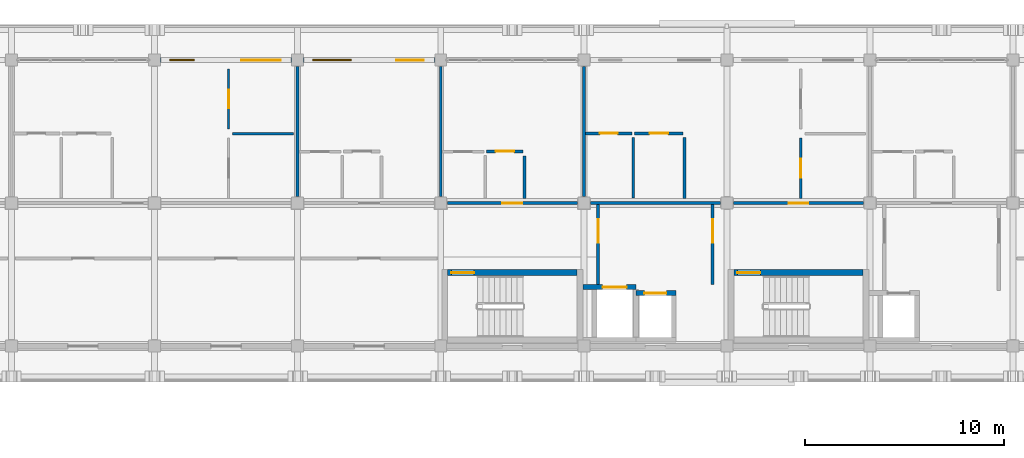
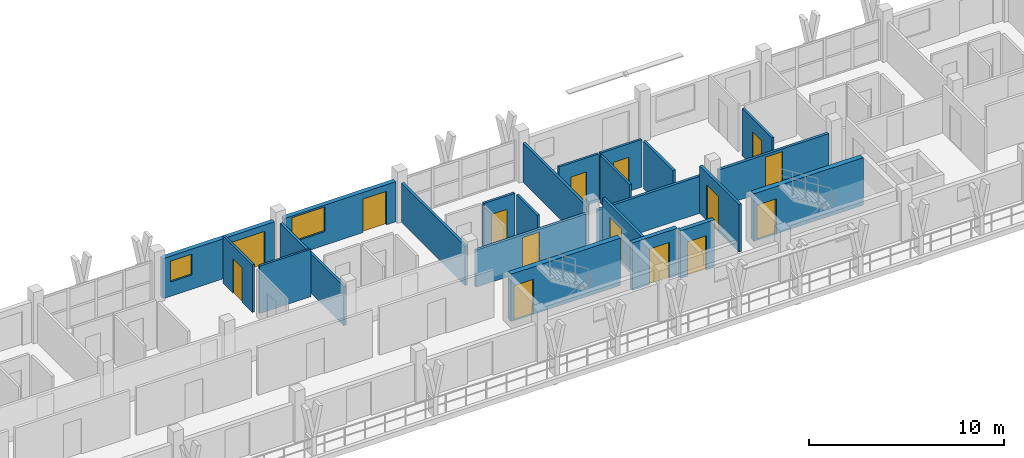
# One storey, part 40 of 73: 23 walls, 15 doors, 2 windows, 17 openings.
"""IFC4 building model written with IfcOpenShell, lengths in metres."""

from ifc_helpers import new_model, si_unit, direction, frame, frame_2d, origin, place, context, subcontext, project, spatial, rectangle, extrude, material, layer, layer_set, type_object, element, fill, save


model = new_model("IFC4")

# Units and contexts
model_context = context("Model", 3, precision=1e-05, world=origin(), true_north=direction((0.0, 1.0)))
body_context = subcontext(model_context, "Body", "Model", "MODEL_VIEW")
ifc_project = project(units=[si_unit("LENGTHUNIT", "METRE"), si_unit("AREAUNIT", "SQUARE_METRE"), si_unit("VOLUMEUNIT", "CUBIC_METRE"), si_unit("PLANEANGLEUNIT", "RADIAN"), si_unit("MASSUNIT", "GRAM", prefix="KILO")], contexts=[model_context])

# Site, building, storey
site_placement = place(None, origin())
site = spatial("IfcSite", under=ifc_project, at=site_placement, CompositionType="ELEMENT")
building_placement = place(site_placement, origin())
building = spatial("IfcBuilding", under=site, at=building_placement, Name="Suanplinth Sawtooth Commons", CompositionType="ELEMENT")
storey_placement = place(building_placement, frame((0.0, 0.0, 21.89990234375)))
storey = spatial("IfcBuildingStorey", under=building, at=storey_placement, Name="L06", CompositionType="ELEMENT", Elevation=21.89990234375)

# Wall, opening, door
ifc_material_1 = material(Name="Concrete C40/50", Category="concrete")
ifc_layer_1 = layer(ifc_material_1, 0.300048828125, Name="Standard RC stair and lift core wall 300mm")
ifc_layer_set_1 = layer_set([ifc_layer_1], Name="Concrete C40/50")
wall_type_1 = type_object("IfcWallType", Name="W-CR02", PredefinedType="SHEAR", material=ifc_layer_set_1)
wall_1_placement = place(storey_placement, frame((43.550048828125, 111.699951171875, 0.0), z_axis=(0.0, 0.0, 1.0), x_axis=(1.0, 0.0, 0.0)))
wall_1 = element("IfcWall", 1, at=wall_1_placement, inside=storey, type_object=wall_type_1, Name="W-L06-C-A1-STN", PredefinedType="SHEAR", context=body_context, shape_type="SweptSolid", body=[
    extrude(rectangle(XDim=6.5, YDim=0.300048828125, at=frame_2d((3.25, 0.0))), origin(), (0.0, 0.0, 1.0), 2.97998046875),
])
opening_1_placement = place(wall_1_placement, frame((0.179931640625, 0.0, 0.0)))
opening_1 = element("IfcOpeningElement", 2, at=opening_1_placement, cuts=wall_1, Name="Opening FD0036", PredefinedType="OPENING", context=body_context, shape_type="SweptSolid", body=[
    extrude(rectangle(XDim=1.14990234375, YDim=2.199951171875, at=frame_2d((0.574951171875, 1.10009765625))), frame((0.0, 0.1650390625, 0.0), z_axis=(0.0, -1.0, 0.0), x_axis=(1.0, 0.0, 0.0)), (0.0, 0.0, 1.0), 0.329833984375),
])
ifc_material_2 = material(Name="Teak hardwood fire-rated door assembly", Category="wood")
door_type_1 = type_object("IfcDoorType", Name="FD-01", OperationType="NOTDEFINED", PredefinedType="DOOR", material=ifc_material_2)
door_1_placement = place(opening_1_placement, frame((1.14990234375, 0.0, 0.0), z_axis=(0.0, 0.0, 1.0), x_axis=(-1.0, 0.0, 0.0)))
door_1 = element("IfcDoor", 3, at=door_1_placement, inside=storey, type_object=door_type_1, Name="Exit Stair Fire Door FD0036", OperationType="SINGLE_SWING_LEFT", OverallHeight=2.199951171875, OverallWidth=1.14990234375, PredefinedType="DOOR", context=body_context, shape_type="SweptSolid", body=[
    extrude(rectangle(XDim=1.14990234375, YDim=2.199951171875, at=frame_2d((0.574951171875, 1.10009765625))), frame((0.0, 0.02490234375, 0.0), z_axis=(0.0, -1.0, 0.0), x_axis=(1.0, 0.0, 0.0)), (0.0, 0.0, 1.0), 0.050048828125),
])
fill(opening_1, door_1)

wall_2_placement = place(storey_placement, frame((57.949951171875, 111.699951171875, 0.0), z_axis=(0.0, 0.0, 1.0), x_axis=(1.0, 0.0, 0.0)))
wall_2 = element("IfcWall", 4, at=wall_2_placement, inside=storey, type_object=wall_type_1, Name="W-L06-C-A2-STN", PredefinedType="SHEAR", context=body_context, shape_type="SweptSolid", body=[
    extrude(rectangle(XDim=6.5, YDim=0.300048828125, at=frame_2d((3.25, 0.0))), origin(), (0.0, 0.0, 1.0), 2.97998046875),
])
opening_2_placement = place(wall_2_placement, frame((0.179931640625, 0.0, 0.0)))
opening_2 = element("IfcOpeningElement", 5, at=opening_2_placement, cuts=wall_2, Name="Opening FD0114", PredefinedType="OPENING", context=body_context, shape_type="SweptSolid", body=[
    extrude(rectangle(XDim=1.14990234375, YDim=2.199951171875, at=frame_2d((0.574951171875, 1.10009765625))), frame((0.0, 0.1650390625, 0.0), z_axis=(0.0, -1.0, 0.0), x_axis=(1.0, 0.0, 0.0)), (0.0, 0.0, 1.0), 0.329833984375),
])
door_2_placement = place(opening_2_placement, frame((1.14990234375, 0.0, 0.0), z_axis=(0.0, 0.0, 1.0), x_axis=(-1.0, 0.0, 0.0)))
door_2 = element("IfcDoor", 6, at=door_2_placement, inside=storey, type_object=door_type_1, Name="Exit Stair Fire Door FD0114", OperationType="SINGLE_SWING_RIGHT", OverallHeight=2.199951171875, OverallWidth=1.14990234375, PredefinedType="DOOR", context=body_context, shape_type="SweptSolid", body=[
    extrude(rectangle(XDim=1.14990234375, YDim=2.199951171875, at=frame_2d((0.574951171875, 1.10009765625))), frame((0.0, 0.02490234375, 0.0), z_axis=(0.0, -1.0, 0.0), x_axis=(1.0, 0.0, 0.0)), (0.0, 0.0, 1.0), 0.050048828125),
])
fill(opening_2, door_2)

# Wall, openings, door, window
ifc_material_3 = material(Name="Precast concrete C40/50", Category="concrete")
ifc_layer_2 = layer(ifc_material_3, 0.260009765625, Name="Insulated precast courtyard facade wall 260mm")
ifc_layer_set_2 = layer_set([ifc_layer_2], Name="Precast concrete C40/50")
wall_type_2 = type_object("IfcWallType", Name="W-EX02", PredefinedType="ELEMENTEDWALL", material=ifc_layer_set_2)
wall_3_placement = place(storey_placement, frame((29.10009765625, 122.39990234375, 0.0), z_axis=(0.0, 0.0, 1.0), x_axis=(1.0, 0.0, 0.0)))
wall_3 = element("IfcWall", 7, at=wall_3_placement, inside=storey, type_object=wall_type_2, Name="Facade Wall W-L06-A-N-3", PredefinedType="ELEMENTEDWALL", context=body_context, shape_type="SweptSolid", body=[
    extrude(rectangle(XDim=6.599853515625, YDim=0.260009765625, at=frame_2d((3.2998046875, 0.0))), origin(), (0.0, 0.0, 1.0), 2.51513671875),
])
opening_3_placement = place(wall_3_placement, frame((4.050048828125, 0.0, 0.0)))
opening_3 = element("IfcOpeningElement", 8, at=opening_3_placement, cuts=wall_3, Name="Opening ED0482", PredefinedType="OPENING", context=body_context, shape_type="SweptSolid", body=[
    extrude(rectangle(XDim=2.0, YDim=2.1201171875, at=frame_2d((1.0, 1.06005859375))), frame((0.0, 0.14501953125, 0.0), z_axis=(0.0, -1.0, 0.0), x_axis=(1.0, 0.0, 0.0)), (0.0, 0.0, 1.0), 0.289794921875),
])
opening_4_placement = place(wall_3_placement, frame((0.449951171875, 0.0, 0.89990234375)))
opening_4 = element("IfcOpeningElement", 9, at=opening_4_placement, cuts=wall_3, Name="Opening W0569", PredefinedType="OPENING", context=body_context, shape_type="SweptSolid", body=[
    extrude(rectangle(XDim=1.25, YDim=1.300048828125, at=frame_2d((0.625, 0.64990234375))), frame((0.0, 0.14501953125, 0.0), z_axis=(0.0, -1.0, 0.0), x_axis=(1.0, 0.0, 0.0)), (0.0, 0.0, 1.0), 0.289794921875),
])
ifc_material_4 = material(Name="Anodized aluminium and low-E glass", Category="aluminium")
door_type_2 = type_object("IfcDoorType", Name="SD-06", OperationType="DOUBLE_DOOR_SLIDING", PredefinedType="DOOR", material=ifc_material_4)
door_3_placement = place(opening_3_placement, frame((2.0, 0.0, 0.0), z_axis=(0.0, 0.0, 1.0), x_axis=(-1.0, 0.0, 0.0)))
door_3 = element("IfcDoor", 10, at=door_3_placement, inside=storey, type_object=door_type_2, Name="Balcony Sliding Door L06-A-N-3", OperationType="DOUBLE_DOOR_SLIDING", OverallHeight=2.1201171875, OverallWidth=2.0, PredefinedType="DOOR", context=body_context, shape_type="SweptSolid", body=[
    extrude(rectangle(XDim=2.0, YDim=2.1201171875, at=frame_2d((1.0, 1.06005859375))), frame((0.0, 0.02490234375, 0.0), z_axis=(0.0, -1.0, 0.0), x_axis=(1.0, 0.0, 0.0)), (0.0, 0.0, 1.0), 0.050048828125),
])
fill(opening_3, door_3)
ifc_material_5 = material(Name="Thermally broken aluminium and low-E double glazing", Category="aluminium")
window_type_1 = type_object("IfcWindowType", Name="WN-17", PartitioningType="SINGLE_PANEL", PredefinedType="WINDOW", material=ifc_material_5)
window_1_placement = place(opening_4_placement, origin())
window_1 = element("IfcWindow", 11, at=window_1_placement, inside=storey, type_object=window_type_1, Name="Window L06-A-N-3", OverallHeight=1.300048828125, OverallWidth=1.25, PartitioningType="SINGLE_PANEL", PredefinedType="WINDOW", context=body_context, shape_type="SweptSolid", body=[
    extrude(rectangle(XDim=1.25, YDim=1.300048828125, at=frame_2d((0.625, 0.64990234375))), frame((0.0, 0.030029296875, 0.0), z_axis=(0.0, -1.0, 0.0), x_axis=(1.0, 0.0, 0.0)), (0.0, 0.0, 1.0), 0.06005859375),
])
fill(opening_4, window_1)

wall_4_placement = place(storey_placement, frame((36.300048828125, 122.39990234375, 0.0), z_axis=(0.0, 0.0, 1.0), x_axis=(1.0, 0.0, 0.0)))
wall_4 = element("IfcWall", 12, at=wall_4_placement, inside=storey, type_object=wall_type_2, Name="Facade Wall W-L06-A-N-4", PredefinedType="ELEMENTEDWALL", context=body_context, shape_type="SweptSolid", body=[
    extrude(rectangle(XDim=6.599853515625, YDim=0.260009765625, at=frame_2d((3.2998046875, 0.0))), origin(), (0.0, 0.0, 1.0), 2.51513671875),
])
opening_5_placement = place(wall_4_placement, frame((4.64990234375, 0.0, 0.0)))
opening_5 = element("IfcOpeningElement", 13, at=opening_5_placement, cuts=wall_4, Name="Opening ED0484", PredefinedType="OPENING", context=body_context, shape_type="SweptSolid", body=[
    extrude(rectangle(XDim=1.39990234375, YDim=2.10009765625, at=frame_2d((0.699951171875, 1.050048828125))), frame((0.0, 0.14501953125, 0.0), z_axis=(0.0, -1.0, 0.0), x_axis=(1.0, 0.0, 0.0)), (0.0, 0.0, 1.0), 0.289794921875),
])
opening_6_placement = place(wall_4_placement, frame((0.449951171875, 0.0, 0.85498046875)))
opening_6 = element("IfcOpeningElement", 14, at=opening_6_placement, cuts=wall_4, Name="Opening W0570", PredefinedType="OPENING", context=body_context, shape_type="SweptSolid", body=[
    extrude(rectangle(XDim=1.949951171875, YDim=1.550048828125, at=frame_2d((0.97509765625, 0.77490234375))), frame((0.0, 0.14501953125, 0.0), z_axis=(0.0, -1.0, 0.0), x_axis=(1.0, 0.0, 0.0)), (0.0, 0.0, 1.0), 0.289794921875),
])
door_type_3 = type_object("IfcDoorType", Name="SD-07", OperationType="SLIDING_TO_RIGHT", PredefinedType="DOOR", material=ifc_material_4)
door_4_placement = place(opening_5_placement, frame((1.39990234375, 0.0, 0.0), z_axis=(0.0, 0.0, 1.0), x_axis=(-1.0, 0.0, 0.0)))
door_4 = element("IfcDoor", 15, at=door_4_placement, inside=storey, type_object=door_type_3, Name="Balcony Sliding Door L06-A-N-4", OperationType="SLIDING_TO_RIGHT", OverallHeight=2.10009765625, OverallWidth=1.39990234375, PredefinedType="DOOR", context=body_context, shape_type="SweptSolid", body=[
    extrude(rectangle(XDim=1.39990234375, YDim=2.10009765625, at=frame_2d((0.699951171875, 1.050048828125))), frame((0.0, 0.02490234375, 0.0), z_axis=(0.0, -1.0, 0.0), x_axis=(1.0, 0.0, 0.0)), (0.0, 0.0, 1.0), 0.050048828125),
])
fill(opening_5, door_4)
window_type_2 = type_object("IfcWindowType", Name="WN-18", PartitioningType="DOUBLE_PANEL_VERTICAL", PredefinedType="WINDOW", material=ifc_material_5)
window_2_placement = place(opening_6_placement, origin())
window_2 = element("IfcWindow", 16, at=window_2_placement, inside=storey, type_object=window_type_2, Name="Window L06-A-N-4", OverallHeight=1.550048828125, OverallWidth=1.949951171875, PartitioningType="DOUBLE_PANEL_VERTICAL", PredefinedType="WINDOW", context=body_context, shape_type="SweptSolid", body=[
    extrude(rectangle(XDim=1.949951171875, YDim=1.550048828125, at=frame_2d((0.97509765625, 0.77490234375))), frame((0.0, 0.030029296875, 0.0), z_axis=(0.0, -1.0, 0.0), x_axis=(1.0, 0.0, 0.0)), (0.0, 0.0, 1.0), 0.06005859375),
])
fill(opening_6, window_2)

# Wall, opening, door
ifc_layer_3 = layer(ifc_material_3, 0.159912109375, Name="Fire-rated corridor and lobby wall 160mm")
ifc_layer_set_3 = layer_set([ifc_layer_3], Name="Precast concrete C40/50")
wall_type_3 = type_object("IfcWallType", Name="W-FW01", PredefinedType="PARTITIONING", material=ifc_layer_set_3)
wall_5_placement = place(storey_placement, frame((51.1201171875, 111.10009765625, 0.0), z_axis=(0.0, 0.0, 1.0), x_axis=(0.0, 1.0, 0.0)))
wall_5 = element("IfcWall", 17, at=wall_5_placement, inside=storey, type_object=wall_type_3, Name="W-L06-C-A1-LOB-W", PredefinedType="PARTITIONING", context=body_context, shape_type="SweptSolid", body=[
    extrude(rectangle(XDim=4.02001953125, YDim=0.159912109375, at=frame_2d((2.010009765625, 0.0))), origin(), (0.0, 0.0, 1.0), 2.97998046875),
])
opening_7_placement = place(wall_5_placement, frame((2.10009765625, 0.0, 0.0)))
opening_7 = element("IfcOpeningElement", 18, at=opening_7_placement, cuts=wall_5, Name="Opening FD0037", PredefinedType="OPENING", context=body_context, shape_type="SweptSolid", body=[
    extrude(rectangle(XDim=1.199951171875, YDim=2.199951171875, at=frame_2d((0.60009765625, 1.10009765625))), frame((0.0, 0.0947265625, 0.0), z_axis=(0.0, -1.0, 0.0), x_axis=(1.0, 0.0, 0.0)), (0.0, 0.0, 1.0), 0.189697265625),
])
door_type_4 = type_object("IfcDoorType", Name="FD-02", OperationType="NOTDEFINED", PredefinedType="DOOR", material=ifc_material_2)
door_5_placement = place(opening_7_placement, origin())
door_5 = element("IfcDoor", 19, at=door_5_placement, inside=storey, type_object=door_type_4, Name="Lobby Fire Door FD0037", OperationType="SINGLE_SWING_RIGHT", OverallHeight=2.199951171875, OverallWidth=1.199951171875, PredefinedType="DOOR", context=body_context, shape_type="SweptSolid", body=[
    extrude(rectangle(XDim=1.199951171875, YDim=2.199951171875, at=frame_2d((0.60009765625, 1.10009765625))), frame((0.0, 0.02490234375, 0.0), z_axis=(0.0, -1.0, 0.0), x_axis=(1.0, 0.0, 0.0)), (0.0, 0.0, 1.0), 0.050048828125),
])
fill(opening_7, door_5)

wall_6_placement = place(storey_placement, frame((56.8798828125, 111.10009765625, 0.0), z_axis=(0.0, 0.0, 1.0), x_axis=(0.0, 1.0, 0.0)))
wall_6 = element("IfcWall", 20, at=wall_6_placement, inside=storey, type_object=wall_type_3, Name="W-L06-C-A1-LOB-E", PredefinedType="PARTITIONING", context=body_context, shape_type="SweptSolid", body=[
    extrude(rectangle(XDim=4.02001953125, YDim=0.159912109375, at=frame_2d((2.010009765625, 0.0))), origin(), (0.0, 0.0, 1.0), 2.97998046875),
])
opening_8_placement = place(wall_6_placement, frame((2.10009765625, 0.0, 0.0)))
opening_8 = element("IfcOpeningElement", 21, at=opening_8_placement, cuts=wall_6, Name="Opening FD0038", PredefinedType="OPENING", context=body_context, shape_type="SweptSolid", body=[
    extrude(rectangle(XDim=1.199951171875, YDim=2.199951171875, at=frame_2d((0.60009765625, 1.10009765625))), frame((0.0, 0.0947265625, 0.0), z_axis=(0.0, -1.0, 0.0), x_axis=(1.0, 0.0, 0.0)), (0.0, 0.0, 1.0), 0.189697265625),
])
door_6_placement = place(opening_8_placement, frame((1.199951171875, 0.0, 0.0), z_axis=(0.0, 0.0, 1.0), x_axis=(-1.0, 0.0, 0.0)))
door_6 = element("IfcDoor", 22, at=door_6_placement, inside=storey, type_object=door_type_4, Name="Lobby Fire Door FD0038", OperationType="SINGLE_SWING_LEFT", OverallHeight=2.199951171875, OverallWidth=1.199951171875, PredefinedType="DOOR", context=body_context, shape_type="SweptSolid", body=[
    extrude(rectangle(XDim=1.199951171875, YDim=2.199951171875, at=frame_2d((0.60009765625, 1.10009765625))), frame((0.0, 0.02490234375, 0.0), z_axis=(0.0, -1.0, 0.0), x_axis=(1.0, 0.0, 0.0)), (0.0, 0.0, 1.0), 0.050048828125),
])
fill(opening_8, door_6)

wall_7_placement = place(storey_placement, frame((43.530029296875, 115.199951171875, 0.0), z_axis=(0.0, 0.0, 1.0), x_axis=(1.0, 0.0, 0.0)))
wall_7 = element("IfcWall", 23, at=wall_7_placement, inside=storey, type_object=wall_type_3, Name="W-A-L06-U05-COR", PredefinedType="PARTITIONING", context=body_context, shape_type="SweptSolid", body=[
    extrude(rectangle(XDim=6.5400390625, YDim=0.159912109375, at=frame_2d((3.27001953125, 0.0))), origin(), (0.0, 0.0, 1.0), 2.315185546875),
])
opening_9_placement = place(wall_7_placement, frame((2.77001953125, 0.0, 0.0)))
opening_9 = element("IfcOpeningElement", 24, at=opening_9_placement, cuts=wall_7, Name="Opening FD1369", PredefinedType="OPENING", context=body_context, shape_type="SweptSolid", body=[
    extrude(rectangle(XDim=1.0, YDim=2.14990234375, at=frame_2d((0.5, 1.074951171875))), frame((0.0, 0.0947265625, 0.0), z_axis=(0.0, -1.0, 0.0), x_axis=(1.0, 0.0, 0.0)), (0.0, 0.0, 1.0), 0.189697265625),
])
door_type_5 = type_object("IfcDoorType", Name="FD-03", OperationType="NOTDEFINED", PredefinedType="DOOR", material=ifc_material_2)
door_7_placement = place(opening_9_placement, origin())
door_7 = element("IfcDoor", 25, at=door_7_placement, inside=storey, type_object=door_type_5, Name="Unit Entrance Door FD1369", OperationType="SINGLE_SWING_LEFT", OverallHeight=2.14990234375, OverallWidth=1.0, PredefinedType="DOOR", context=body_context, shape_type="SweptSolid", body=[
    extrude(rectangle(XDim=1.0, YDim=2.14990234375, at=frame_2d((0.5, 1.074951171875))), frame((0.0, 0.02490234375, 0.0), z_axis=(0.0, -1.0, 0.0), x_axis=(1.0, 0.0, 0.0)), (0.0, 0.0, 1.0), 0.050048828125),
])
fill(opening_9, door_7)

# Wall
wall_8_placement = place(storey_placement, frame((50.72998046875, 115.199951171875, 0.0), z_axis=(0.0, 0.0, 1.0), x_axis=(1.0, 0.0, 0.0)))
element("IfcWall", 26, at=wall_8_placement, inside=storey, type_object=wall_type_3, Name="W-A-L06-U06-COR-S1", PredefinedType="PARTITIONING", context=body_context, shape_type="SweptSolid", body=[
    extrude(rectangle(XDim=6.5400390625, YDim=0.159912109375, at=frame_2d((3.27001953125, 0.0))), origin(), (0.0, 0.0, 1.0), 2.315185546875),
])

# Wall, opening, door
wall_9_placement = place(storey_placement, frame((57.929931640625, 115.199951171875, 0.0), z_axis=(0.0, 0.0, 1.0), x_axis=(1.0, 0.0, 0.0)))
wall_9 = element("IfcWall", 27, at=wall_9_placement, inside=storey, type_object=wall_type_3, Name="W-A-L06-U06-COR-S2", PredefinedType="PARTITIONING", context=body_context, shape_type="SweptSolid", body=[
    extrude(rectangle(XDim=6.5400390625, YDim=0.159912109375, at=frame_2d((3.27001953125, 0.0))), origin(), (0.0, 0.0, 1.0), 2.315185546875),
])
opening_10_placement = place(wall_9_placement, frame((2.77001953125, 0.0, 0.0)))
opening_10 = element("IfcOpeningElement", 28, at=opening_10_placement, cuts=wall_9, Name="Opening FD1372", PredefinedType="OPENING", context=body_context, shape_type="SweptSolid", body=[
    extrude(rectangle(XDim=1.0, YDim=2.14990234375, at=frame_2d((0.5, 1.074951171875))), frame((0.0, 0.0947265625, 0.0), z_axis=(0.0, -1.0, 0.0), x_axis=(1.0, 0.0, 0.0)), (0.0, 0.0, 1.0), 0.189697265625),
])
door_8_placement = place(opening_10_placement, origin())
door_8 = element("IfcDoor", 29, at=door_8_placement, inside=storey, type_object=door_type_5, Name="Unit Entrance Door FD1372", OperationType="SINGLE_SWING_RIGHT", OverallHeight=2.14990234375, OverallWidth=1.0, PredefinedType="DOOR", context=body_context, shape_type="SweptSolid", body=[
    extrude(rectangle(XDim=1.0, YDim=2.14990234375, at=frame_2d((0.5, 1.074951171875))), frame((0.0, 0.02490234375, 0.0), z_axis=(0.0, -1.0, 0.0), x_axis=(1.0, 0.0, 0.0)), (0.0, 0.0, 1.0), 0.050048828125),
])
fill(opening_10, door_8)

# Walls
ifc_layer_4 = layer(ifc_material_3, 0.14990234375, Name="Acoustic precast party demising wall 150mm")
ifc_layer_set_4 = layer_set([ifc_layer_4], Name="Precast concrete C40/50")
wall_type_4 = type_object("IfcWallType", Name="W-FW02", PredefinedType="PARTITIONING", material=ifc_layer_set_4)
for number, where, z_axis, x_axis, name in (
    (30, (36.0, 115.530029296875, 0.0), (0.0, 0.0, 1.0), (0.0, 1.0, 0.0), "W-A-L06-U03-PTY"),
    (31, (43.199951171875, 115.530029296875, 0.0), (0.0, 0.0, 1.0), (0.0, 1.0, 0.0), "W-A-L06-U04-PTY"),
    (32, (50.39990234375, 115.530029296875, 0.0), (0.0, 0.0, 1.0), (0.0, 1.0, 0.0), "W-A-L06-U05-PTY"),
):
    element("IfcWall", number, at=place(storey_placement, frame(where, z_axis=z_axis, x_axis=x_axis)), inside=storey, type_object=wall_type_4, Name=name, PredefinedType="PARTITIONING", context=body_context, shape_type="SweptSolid", body=[
        extrude(rectangle(XDim=6.5400390625, YDim=0.14990234375, at=frame_2d((3.27001953125, 0.0))), origin(), (0.0, 0.0, 1.0), 2.465087890625),
    ])

# Wall, opening, door
ifc_material_6 = material(Name="Gypsum plasterboard on steel stud", Category="steel")
ifc_layer_5 = layer(ifc_material_6, 0.139892578125, Name="Fire-rated kitchen partition 140mm")
ifc_layer_set_5 = layer_set([ifc_layer_5], Name="Gypsum plasterboard on steel stud")
wall_type_5 = type_object("IfcWallType", Name="W-PT01", PredefinedType="PARTITIONING", material=ifc_layer_set_5)
wall_10_placement = place(storey_placement, frame((45.5, 117.800048828125, 0.0), z_axis=(0.0, 0.0, 1.0), x_axis=(1.0, 0.0, 0.0)))
wall_10 = element("IfcWall", 33, at=wall_10_placement, inside=storey, type_object=wall_type_5, Name="W-A-L06-U05-KIT1", PredefinedType="PARTITIONING", context=body_context, shape_type="SweptSolid", body=[
    extrude(rectangle(XDim=1.85009765625, YDim=0.139892578125, at=frame_2d((0.925048828125, 0.0))), origin(), (0.0, 0.0, 1.0), 2.97998046875),
])
opening_11_placement = place(wall_10_placement, frame((0.4599609375, 0.0, 0.0)))
opening_11 = element("IfcOpeningElement", 34, at=opening_11_placement, cuts=wall_10, Name="Opening D1371", PredefinedType="OPENING", context=body_context, shape_type="SweptSolid", body=[
    extrude(rectangle(XDim=0.929931640625, YDim=2.139892578125, at=frame_2d((0.46484375, 1.06982421875))), frame((0.0, 0.0849609375, 0.0), z_axis=(0.0, -1.0, 0.0), x_axis=(1.0, 0.0, 0.0)), (0.0, 0.0, 1.0), 0.169677734375),
])
ifc_material_7 = material(Name="Teak hardwood", Category="wood")
door_type_6 = type_object("IfcDoorType", Name="D-19", OperationType="NOTDEFINED", PredefinedType="DOOR", material=ifc_material_7)
door_9_placement = place(opening_11_placement, frame((0.929931640625, 0.0, 0.0), z_axis=(0.0, 0.0, 1.0), x_axis=(-1.0, 0.0, 0.0)))
door_9 = element("IfcDoor", 35, at=door_9_placement, inside=storey, type_object=door_type_6, Name="Kitchen Door D1371", OperationType="SINGLE_SWING_LEFT", OverallHeight=2.139892578125, OverallWidth=0.929931640625, PredefinedType="DOOR", context=body_context, shape_type="SweptSolid", body=[
    extrude(rectangle(XDim=0.929931640625, YDim=2.139892578125, at=frame_2d((0.46484375, 1.06982421875))), frame((0.0, 0.02490234375, 0.0), z_axis=(0.0, -1.0, 0.0), x_axis=(1.0, 0.0, 0.0)), (0.0, 0.0, 1.0), 0.050048828125),
])
fill(opening_11, door_9)

# Wall
wall_11_placement = place(storey_placement, frame((47.419921875, 115.429931640625, 0.0), z_axis=(0.0, 0.0, 1.0), x_axis=(0.0, 1.0, 0.0)))
element("IfcWall", 36, at=wall_11_placement, inside=storey, type_object=wall_type_5, Name="W-A-L06-U05-KIT2", PredefinedType="PARTITIONING", context=body_context, shape_type="SweptSolid", body=[
    extrude(rectangle(XDim=2.150146484375, YDim=0.139892578125, at=frame_2d((1.0751953125, 0.0))), origin(), (0.0, 0.0, 1.0), 2.97998046875),
])

# Wall, opening, door
wall_12_placement = place(storey_placement, frame((52.949951171875, 118.7099609375, 0.0), z_axis=(0.0, 0.0, 1.0), x_axis=(1.0, 0.0, 0.0)))
wall_12 = element("IfcWall", 37, at=wall_12_placement, inside=storey, type_object=wall_type_5, Name="W-A-L06-U06-KIT1", PredefinedType="PARTITIONING", context=body_context, shape_type="SweptSolid", body=[
    extrude(rectangle(XDim=2.449951171875, YDim=0.139892578125, at=frame_2d((1.22509765625, 0.0))), origin(), (0.0, 0.0, 1.0), 2.97998046875),
])
opening_12_placement = place(wall_12_placement, frame((0.760009765625, 0.0, 0.0)))
opening_12 = element("IfcOpeningElement", 38, at=opening_12_placement, cuts=wall_12, Name="Opening D1374", PredefinedType="OPENING", context=body_context, shape_type="SweptSolid", body=[
    extrude(rectangle(XDim=0.929931640625, YDim=2.139892578125, at=frame_2d((0.46484375, 1.06982421875))), frame((0.0, 0.0849609375, 0.0), z_axis=(0.0, -1.0, 0.0), x_axis=(1.0, 0.0, 0.0)), (0.0, 0.0, 1.0), 0.169677734375),
])
door_10_placement = place(opening_12_placement, frame((0.929931640625, 0.0, 0.0), z_axis=(0.0, 0.0, 1.0), x_axis=(-1.0, 0.0, 0.0)))
door_10 = element("IfcDoor", 39, at=door_10_placement, inside=storey, type_object=door_type_6, Name="Kitchen Door D1374", OperationType="SINGLE_SWING_RIGHT", OverallHeight=2.139892578125, OverallWidth=0.929931640625, PredefinedType="DOOR", context=body_context, shape_type="SweptSolid", body=[
    extrude(rectangle(XDim=0.929931640625, YDim=2.139892578125, at=frame_2d((0.46484375, 1.06982421875))), frame((0.0, 0.02490234375, 0.0), z_axis=(0.0, -1.0, 0.0), x_axis=(1.0, 0.0, 0.0)), (0.0, 0.0, 1.0), 0.050048828125),
])
fill(opening_12, door_10)

# Wall
wall_13_placement = place(storey_placement, frame((55.469970703125, 115.429931640625, 0.0), z_axis=(0.0, 0.0, 1.0), x_axis=(0.0, 1.0, 0.0)))
element("IfcWall", 40, at=wall_13_placement, inside=storey, type_object=wall_type_5, Name="W-A-L06-U06-KIT2", PredefinedType="PARTITIONING", context=body_context, shape_type="SweptSolid", body=[
    extrude(rectangle(XDim=3.06005859375, YDim=0.139892578125, at=frame_2d((1.530029296875, 0.0))), origin(), (0.0, 0.0, 1.0), 2.97998046875),
])

# Wall, opening, door
ifc_layer_6 = layer(ifc_material_6, 0.1298828125, Name="Moisture-resistant bathroom partition 130mm")
ifc_layer_set_6 = layer_set([ifc_layer_6], Name="Gypsum plasterboard on steel stud")
wall_type_6 = type_object("IfcWallType", Name="W-PT02", PredefinedType="PARTITIONING", material=ifc_layer_set_6)
wall_14_placement = place(storey_placement, frame((50.47998046875, 118.705078125, 0.0), z_axis=(0.0, 0.0, 1.0), x_axis=(1.0, 0.0, 0.0)))
wall_14 = element("IfcWall", 41, at=wall_14_placement, inside=storey, type_object=wall_type_6, Name="W-A-L06-U06-BTH1", PredefinedType="PARTITIONING", context=body_context, shape_type="SweptSolid", body=[
    extrude(rectangle(XDim=2.35009765625, YDim=0.1298828125, at=frame_2d((1.175048828125, 0.0))), origin(), (0.0, 0.0, 1.0), 2.97998046875),
])
opening_13_placement = place(wall_14_placement, frame((0.72509765625, 0.0, 0.0)))
opening_13 = element("IfcOpeningElement", 42, at=opening_13_placement, cuts=wall_14, Name="Opening D1373", PredefinedType="OPENING", context=body_context, shape_type="SweptSolid", body=[
    extrude(rectangle(XDim=0.89990234375, YDim=2.10009765625, at=frame_2d((0.449951171875, 1.050048828125))), frame((0.0, 0.079833984375, 0.0), z_axis=(0.0, -1.0, 0.0), x_axis=(1.0, 0.0, 0.0)), (0.0, 0.0, 1.0), 0.15966796875),
])
door_type_7 = type_object("IfcDoorType", Name="D-01", OperationType="NOTDEFINED", PredefinedType="DOOR", material=ifc_material_7)
door_11_placement = place(opening_13_placement, frame((0.89990234375, 0.0, 0.0), z_axis=(0.0, 0.0, 1.0), x_axis=(-1.0, 0.0, 0.0)))
door_11 = element("IfcDoor", 43, at=door_11_placement, inside=storey, type_object=door_type_7, Name="Bathroom Door D1373", OperationType="SINGLE_SWING_LEFT", OverallHeight=2.10009765625, OverallWidth=0.89990234375, PredefinedType="DOOR", context=body_context, shape_type="SweptSolid", body=[
    extrude(rectangle(XDim=0.89990234375, YDim=2.10009765625, at=frame_2d((0.449951171875, 1.050048828125))), frame((0.0, 0.02490234375, 0.0), z_axis=(0.0, -1.0, 0.0), x_axis=(1.0, 0.0, 0.0)), (0.0, 0.0, 1.0), 0.050048828125),
])
fill(opening_13, door_11)

# Wall
wall_15_placement = place(storey_placement, frame((52.89501953125, 115.4599609375, 0.0), z_axis=(0.0, 0.0, 1.0), x_axis=(0.0, 1.0, 0.0)))
element("IfcWall", 44, at=wall_15_placement, inside=storey, type_object=wall_type_6, Name="W-A-L06-U06-BTH2", PredefinedType="PARTITIONING", context=body_context, shape_type="SweptSolid", body=[
    extrude(rectangle(XDim=3.0400390625, YDim=0.1298828125, at=frame_2d((1.52001953125, 0.0))), origin(), (0.0, 0.0, 1.0), 2.97998046875),
])

# Wall, opening, door
ifc_layer_7 = layer(ifc_material_6, 0.1201171875, Name="Acoustic bedroom partition 120mm")
ifc_layer_set_7 = layer_set([ifc_layer_7], Name="Gypsum plasterboard on steel stud")
wall_type_7 = type_object("IfcWallType", Name="W-PT03", PredefinedType="PARTITIONING", material=ifc_layer_set_7)
wall_16_placement = place(storey_placement, frame((32.52001953125, 118.919921875, 0.0), z_axis=(0.0, 0.0, 1.0), x_axis=(0.0, 1.0, 0.0)))
wall_16 = element("IfcWall", 45, at=wall_16_placement, inside=storey, type_object=wall_type_7, Name="W-A-L06-U03-BED1", PredefinedType="PARTITIONING", context=body_context, shape_type="SweptSolid", body=[
    extrude(rectangle(XDim=3.0400390625, YDim=0.1201171875, at=frame_2d((1.52001953125, 0.0))), origin(), (0.0, 0.0, 1.0), 2.97998046875),
])
opening_14_placement = place(wall_16_placement, frame((1.044921875, 0.0, 0.0)))
opening_14 = element("IfcOpeningElement", 46, at=opening_14_placement, cuts=wall_16, Name="Opening D1364", PredefinedType="OPENING", context=body_context, shape_type="SweptSolid", body=[
    extrude(rectangle(XDim=0.949951171875, YDim=2.14990234375, at=frame_2d((0.47509765625, 1.074951171875))), frame((0.0, 0.074951171875, 0.0), z_axis=(0.0, -1.0, 0.0), x_axis=(1.0, 0.0, 0.0)), (0.0, 0.0, 1.0), 0.14990234375),
])
door_type_8 = type_object("IfcDoorType", Name="D-03", OperationType="NOTDEFINED", PredefinedType="DOOR", material=ifc_material_7)
door_12_placement = place(opening_14_placement, frame((0.949951171875, 0.0, 0.0), z_axis=(0.0, 0.0, 1.0), x_axis=(-1.0, 0.0, 0.0)))
door_12 = element("IfcDoor", 47, at=door_12_placement, inside=storey, type_object=door_type_8, Name="Bedroom Door D1364", OperationType="SINGLE_SWING_RIGHT", OverallHeight=2.14990234375, OverallWidth=0.949951171875, PredefinedType="DOOR", context=body_context, shape_type="SweptSolid", body=[
    extrude(rectangle(XDim=0.949951171875, YDim=2.14990234375, at=frame_2d((0.47509765625, 1.074951171875))), frame((0.0, 0.02490234375, 0.0), z_axis=(0.0, -1.0, 0.0), x_axis=(1.0, 0.0, 0.0)), (0.0, 0.0, 1.0), 0.050048828125),
])
fill(opening_14, door_12)

wall_17_placement = place(storey_placement, frame((61.320068359375, 115.43994140625, 0.0), z_axis=(0.0, 0.0, 1.0), x_axis=(0.0, 1.0, 0.0)))
wall_17 = element("IfcWall", 48, at=wall_17_placement, inside=storey, type_object=wall_type_7, Name="W-A-L06-U06-BED2", PredefinedType="PARTITIONING", context=body_context, shape_type="SweptSolid", body=[
    extrude(rectangle(XDim=3.0400390625, YDim=0.1201171875, at=frame_2d((1.52001953125, 0.0))), origin(), (0.0, 0.0, 1.0), 2.97998046875),
])
opening_15_placement = place(wall_17_placement, frame((1.0400390625, 0.0, 0.0)))
opening_15 = element("IfcOpeningElement", 49, at=opening_15_placement, cuts=wall_17, Name="Opening D1376", PredefinedType="OPENING", context=body_context, shape_type="SweptSolid", body=[
    extrude(rectangle(XDim=0.9599609375, YDim=2.14990234375, at=frame_2d((0.47998046875, 1.074951171875))), frame((0.0, 0.074951171875, 0.0), z_axis=(0.0, -1.0, 0.0), x_axis=(1.0, 0.0, 0.0)), (0.0, 0.0, 1.0), 0.14990234375),
])
door_type_9 = type_object("IfcDoorType", Name="D-13", OperationType="NOTDEFINED", PredefinedType="DOOR", material=ifc_material_7)
door_13_placement = place(opening_15_placement, frame((0.9599609375, 0.0, 0.0), z_axis=(0.0, 0.0, 1.0), x_axis=(-1.0, 0.0, 0.0)))
door_13 = element("IfcDoor", 50, at=door_13_placement, inside=storey, type_object=door_type_9, Name="Second Bedroom Door D1376", OperationType="SINGLE_SWING_RIGHT", OverallHeight=2.14990234375, OverallWidth=0.9599609375, PredefinedType="DOOR", context=body_context, shape_type="SweptSolid", body=[
    extrude(rectangle(XDim=0.9599609375, YDim=2.14990234375, at=frame_2d((0.47998046875, 1.074951171875))), frame((0.0, 0.02490234375, 0.0), z_axis=(0.0, -1.0, 0.0), x_axis=(1.0, 0.0, 0.0)), (0.0, 0.0, 1.0), 0.050048828125),
])
fill(opening_15, door_13)

# Wall
ifc_layer_8 = layer(ifc_material_6, 0.125, Name="Acoustic study partition 125mm")
ifc_layer_set_8 = layer_set([ifc_layer_8], Name="Gypsum plasterboard on steel stud")
wall_type_8 = type_object("IfcWallType", Name="W-PT06", PredefinedType="PARTITIONING", material=ifc_layer_set_8)
wall_18_placement = place(storey_placement, frame((32.719970703125, 118.699951171875, 0.0), z_axis=(0.0, 0.0, 1.0), x_axis=(1.0, 0.0, 0.0)))
element("IfcWall", 51, at=wall_18_placement, inside=storey, type_object=wall_type_8, Name="W-A-L06-U03-BEDDIV", PredefinedType="PARTITIONING", context=body_context, shape_type="SweptSolid", body=[
    extrude(rectangle(XDim=3.06005859375, YDim=0.125, at=frame_2d((1.530029296875, 0.0))), origin(), (0.0, 0.0, 1.0), 2.97998046875),
])

# Wall, opening, door
ifc_layer_9 = layer(ifc_material_3, 0.25, Name="Precast structural shear wall 250mm")
ifc_layer_set_9 = layer_set([ifc_layer_9], Name="Precast concrete C40/50")
wall_type_9 = type_object("IfcWallType", Name="W-SH01", PredefinedType="SHEAR", material=ifc_layer_set_9)
wall_19_placement = place(storey_placement, frame((50.35009765625, 110.97509765625, 0.0), z_axis=(0.0, 0.0, 1.0), x_axis=(1.0, 0.0, 0.0)))
wall_19 = element("IfcWall", 52, at=wall_19_placement, inside=storey, type_object=wall_type_9, Name="W-L06-FL1-N", PredefinedType="SHEAR", context=body_context, shape_type="SweptSolid", body=[
    extrude(rectangle(XDim=2.6748046875, YDim=0.25, at=frame_2d((1.33740234375, 0.0))), origin(), (0.0, 0.0, 1.0), 2.97998046875),
])
opening_16_placement = place(wall_19_placement, frame((1.0, 0.0, 0.0)))
opening_16 = element("IfcOpeningElement", 53, at=opening_16_placement, cuts=wall_19, Name="Opening LD0039", PredefinedType="OPENING", context=body_context, shape_type="SweptSolid", body=[
    extrude(rectangle(XDim=1.199951171875, YDim=2.25, at=frame_2d((0.60009765625, 1.125))), frame((0.0, 0.139892578125, 0.0), z_axis=(0.0, -1.0, 0.0), x_axis=(1.0, 0.0, 0.0)), (0.0, 0.0, 1.0), 0.27978515625),
])
ifc_material_8 = material(Name="Stainless steel Grade 304", Category="steel")
door_type_10 = type_object("IfcDoorType", Name="LD-02", OperationType="SLIDING_TO_LEFT", PredefinedType="DOOR", material=ifc_material_8)
door_14_placement = place(opening_16_placement, origin())
door_14 = element("IfcDoor", 54, at=door_14_placement, inside=storey, type_object=door_type_10, Name="Lift Landing Sliding Door FL1 L06", OperationType="SLIDING_TO_LEFT", OverallHeight=2.25, OverallWidth=1.199951171875, PredefinedType="DOOR", context=body_context, shape_type="SweptSolid", body=[
    extrude(rectangle(XDim=1.199951171875, YDim=2.25, at=frame_2d((0.60009765625, 1.125))), frame((0.0, 0.02490234375, 0.0), z_axis=(0.0, -1.0, 0.0), x_axis=(1.0, 0.0, 0.0)), (0.0, 0.0, 1.0), 0.050048828125),
])
fill(opening_16, door_14)

wall_20_placement = place(storey_placement, frame((53.02490234375, 110.675048828125, 0.0), z_axis=(0.0, 0.0, 1.0), x_axis=(1.0, 0.0, 0.0)))
wall_20 = element("IfcWall", 55, at=wall_20_placement, inside=storey, type_object=wall_type_9, Name="W-L06-LF1-N", PredefinedType="SHEAR", context=body_context, shape_type="SweptSolid", body=[
    extrude(rectangle(XDim=2.025146484375, YDim=0.25, at=frame_2d((1.0126953125, 0.0))), origin(), (0.0, 0.0, 1.0), 2.97998046875),
])
opening_17_placement = place(wall_20_placement, frame((0.425048828125, 0.0, 0.0)))
opening_17 = element("IfcOpeningElement", 56, at=opening_17_placement, cuts=wall_20, Name="Opening LD0040", PredefinedType="OPENING", context=body_context, shape_type="SweptSolid", body=[
    extrude(rectangle(XDim=1.10009765625, YDim=2.14990234375, at=frame_2d((0.550048828125, 1.074951171875))), frame((0.0, 0.139892578125, 0.0), z_axis=(0.0, -1.0, 0.0), x_axis=(1.0, 0.0, 0.0)), (0.0, 0.0, 1.0), 0.27978515625),
])
door_type_11 = type_object("IfcDoorType", Name="LD-01", OperationType="SLIDING_TO_LEFT", PredefinedType="DOOR", material=ifc_material_8)
door_15_placement = place(opening_17_placement, origin())
door_15 = element("IfcDoor", 57, at=door_15_placement, inside=storey, type_object=door_type_11, Name="Lift Landing Sliding Door LF1 L06", OperationType="SLIDING_TO_LEFT", OverallHeight=2.14990234375, OverallWidth=1.10009765625, PredefinedType="DOOR", context=body_context, shape_type="SweptSolid", body=[
    extrude(rectangle(XDim=1.10009765625, YDim=2.14990234375, at=frame_2d((0.550048828125, 1.074951171875))), frame((0.0, 0.02490234375, 0.0), z_axis=(0.0, -1.0, 0.0), x_axis=(1.0, 0.0, 0.0)), (0.0, 0.0, 1.0), 0.050048828125),
])
fill(opening_17, door_15)

save(model, "model.ifc")
